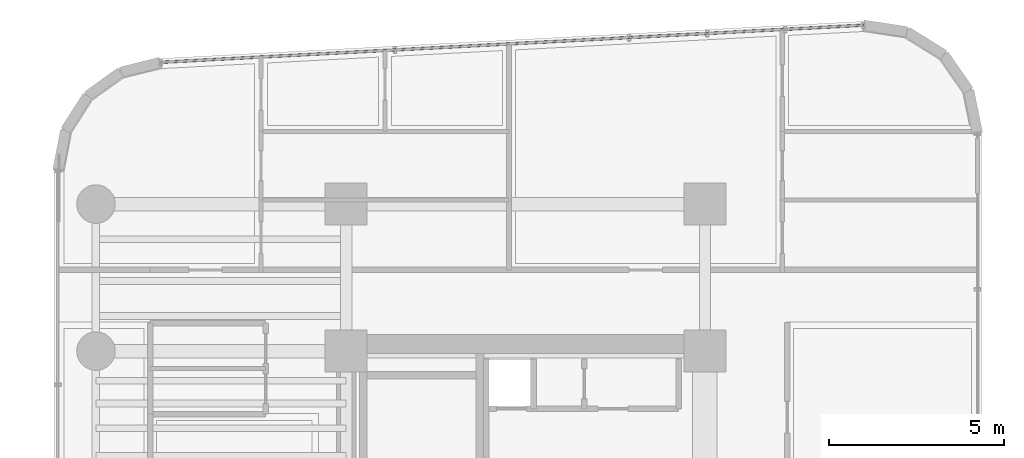
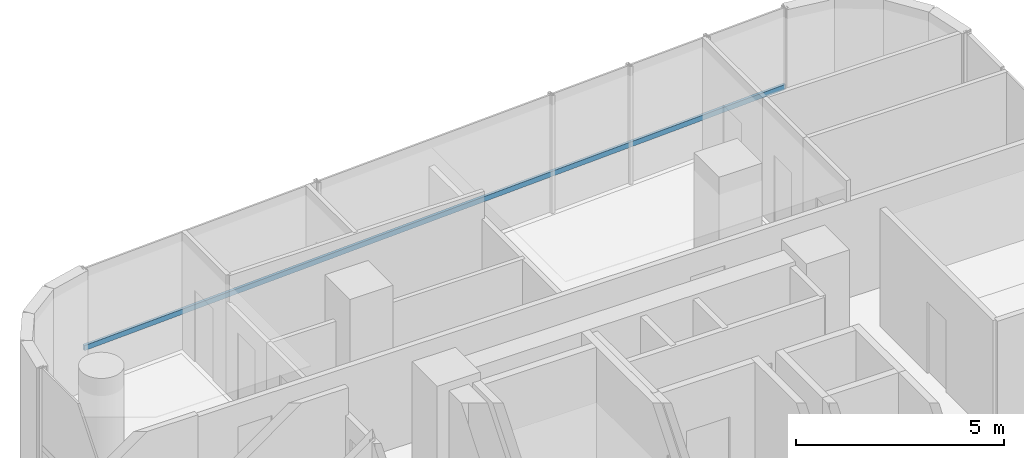
# One storey, part 21 of 34: 1 member, 1 element without a shape of its own.
"""IFC4 building model written with IfcOpenShell, lengths in metres."""

from ifc_helpers import new_model, si_unit, direction, frame, origin, origin_2d, place, context, subcontext, project, spatial, hollow_rectangle, extrude, source, transform, mapped, material, material_profile, profile_set, type_object, element, aggregate, save


model = new_model("IFC4")

# Units and contexts
model_context = context("Model", 3, precision=1e-05, world=origin(), true_north=direction((0.0, 1.0)))
body_context = subcontext(model_context, "Body", "Model", "MODEL_VIEW")
ifc_project = project(units=[si_unit("LENGTHUNIT", "METRE"), si_unit("AREAUNIT", "SQUARE_METRE"), si_unit("VOLUMEUNIT", "CUBIC_METRE"), si_unit("PLANEANGLEUNIT", "RADIAN"), si_unit("MASSUNIT", "GRAM", prefix="KILO")], contexts=[model_context])

# Site, building, storey
site_placement = place(None, origin())
site = spatial("IfcSite", under=ifc_project, at=site_placement, CompositionType="ELEMENT")
building_placement = place(site_placement, origin())
building = spatial("IfcBuilding", under=site, at=building_placement, Name="Valdorenza Pilgrim Sanctuary Tower", CompositionType="ELEMENT")
storey_placement = place(building_placement, frame((0.0, 0.0, 164.89990234375)))
storey = spatial("IfcBuildingStorey", under=building, at=storey_placement, Name="L42", CompositionType="ELEMENT", Elevation=164.89990234375)

# Curtain wall, member
ifc_material_1 = material(Name="Curtain-wall IGU glazing", Category="glass")
curtain_wall_type = type_object("IfcCurtainWallType", Name="CW-SYS-02", PredefinedType="NOTDEFINED", material=ifc_material_1)
curtain_wall_placement = place(storey_placement, origin())
curtain_wall = element("IfcCurtainWall", 1, at=curtain_wall_placement, inside=storey, type_object=curtain_wall_type, Name="L42 Curtain Wall CW-L42-1-6", PredefinedType="NOTDEFINED")
ifc_material_2 = material(Name="Anodised aluminium AW-6060", Category="aluminium")
ifc_material_profile = material_profile(ifc_material_2, hollow_rectangle(XDim=0.074951171875, YDim=0.14990234375, WallThickness=0.00390625, at=origin_2d()), Name="ALU-T 150x75x4")
ifc_profile_set = profile_set([ifc_material_profile], Name="Anodised aluminium AW-6060")
member_type = type_object("IfcMemberType", Name="CW-TRN-02", PredefinedType="USERDEFINED", material=ifc_profile_set)
shared_shape = source(origin(), body_context, "Body", "SweptSolid", [
    extrude(hollow_rectangle(XDim=0.074951171875, YDim=0.14990234375, WallThickness=0.00390625, at=origin_2d()), origin(), (0.0, 0.0, 1.0), 20.106201171875),
])
member_placement = place(storey_placement, frame((-27.952392578125, 18.850830078125, 1.1201171875), z_axis=(0.998607243081, 0.052759587441, 0.0), x_axis=(-0.052759587441, 0.998607243081, 0.0)))
member = element("IfcMember", 2, at=member_placement, type_object=member_type, Name="CW-L42-1-6 Transom 1", ObjectType="TRANSOM", PredefinedType="USERDEFINED", context=body_context, shape_type="MappedRepresentation", body=[
    mapped(shared_shape, transform((0.0, 0.0, 0.0), x_axis=(1.0, 0.0, 0.0), y_axis=(0.0, 1.0, 0.0), z_axis=(0.0, 0.0, 1.0), scale=1.0)),
])
aggregate(curtain_wall, [member])

save(model, "model.ifc")
